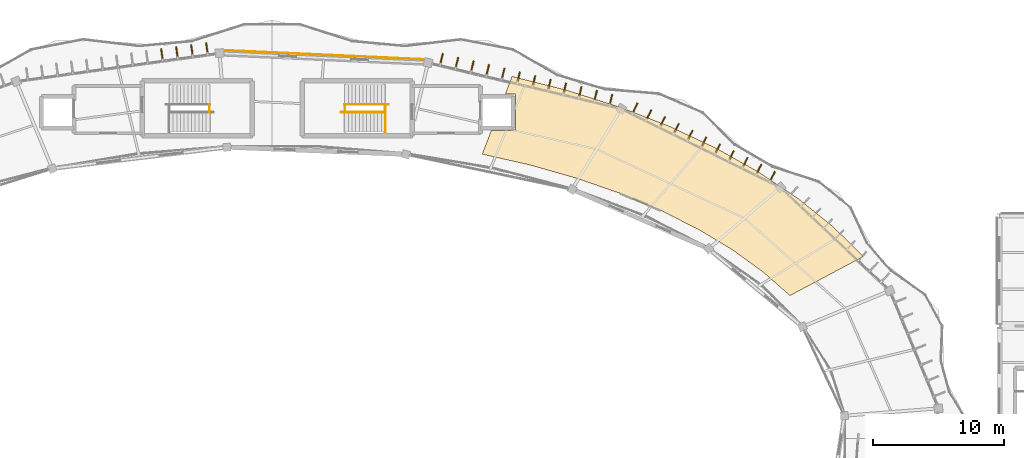
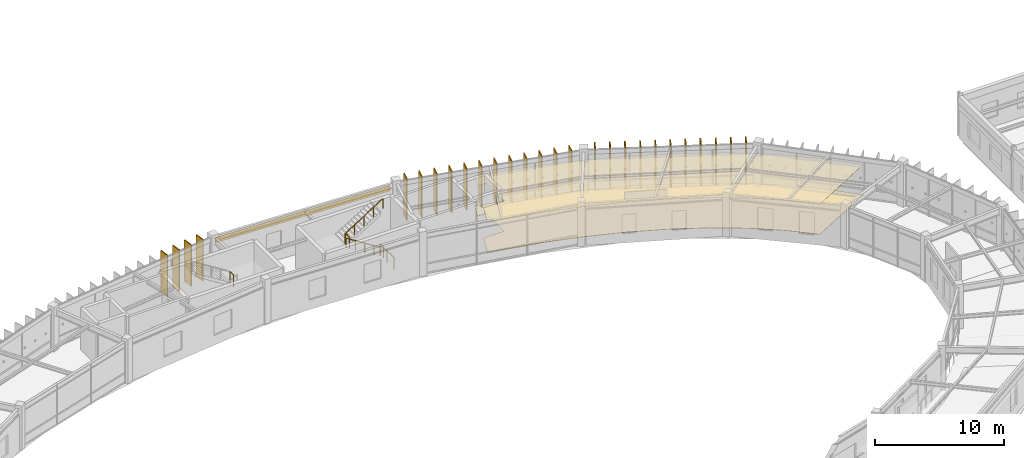
# One storey, part 112 of 114: 27 shading devices, 5 railings, 3 coverings.
"""IFC4 building model written with IfcOpenShell, lengths in metres."""

from ifc_helpers import new_model, si_unit, direction, frame, origin, origin_2d, place, context, subcontext, project, spatial, polyline, rectangle, circle, outline, extrude, material, layer, layer_set, type_object, element, save


model = new_model("IFC4")

# Units and contexts
model_context = context("Model", 3, precision=1e-05, world=origin(), true_north=direction((0.0, 1.0)))
body_context = subcontext(model_context, "Body", "Model", "MODEL_VIEW")
ifc_project = project(units=[si_unit("LENGTHUNIT", "METRE"), si_unit("AREAUNIT", "SQUARE_METRE"), si_unit("VOLUMEUNIT", "CUBIC_METRE"), si_unit("PLANEANGLEUNIT", "RADIAN"), si_unit("MASSUNIT", "GRAM", prefix="KILO"), si_unit("THERMODYNAMICTEMPERATUREUNIT", "KELVIN"), si_unit("POWERUNIT", "WATT")], contexts=[model_context])

# Site, building, storey
site_placement = place(None, origin())
site = spatial("IfcSite", under=ifc_project, at=site_placement, CompositionType="ELEMENT")
building_placement = place(site_placement, origin())
building = spatial("IfcBuilding", under=site, at=building_placement, Name="Darbajah Civic Hall", CompositionType="ELEMENT")
storey_placement = place(building_placement, frame((0.0, 0.0, 13.800048828125)))
storey = spatial("IfcBuildingStorey", under=building, at=storey_placement, Name="L03", CompositionType="ELEMENT", Elevation=13.800048828125)

# Railings
ifc_material_1 = material(Name="Brushed Bronze Stainless Steel", Category="steel")
railing_type_1 = type_object("IfcRailingType", Name="Brushed Bronze Handrail", PredefinedType="HANDRAIL", material=ifc_material_1)
railing_1_placement = place(storey_placement, frame((97.719970703125, 114.699951171875, 0.175048828125)))
element("IfcRailing", 1, at=railing_1_placement, inside=storey, type_object=railing_type_1, Name="ST02 L03 lower flight handrail", PredefinedType="HANDRAIL", context=body_context, shape_type="SweptSolid", body=[
    extrude(circle(Radius=0.02392578125, at=origin_2d()), frame((-0.023193359375, 0.0, 0.910400390625), z_axis=(-0.845954538342, 0.0, 0.533255022534), x_axis=(0.0, -1.0, 0.0)), (0.0, 0.0, 1.0), 3.9169921875),
    extrude(circle(Radius=0.02099609375, at=origin_2d()), origin(), (0.0, 0.0, 1.0), 0.867919921875),
    extrude(circle(Radius=0.02099609375, at=origin_2d()), frame((-0.83984375, 0.0, 0.529541015625)), (0.0, 0.0, 1.0), 0.867919921875),
    extrude(circle(Radius=0.02099609375, at=origin_2d()), frame((-1.679931640625, 0.0, 1.05908203125)), (0.0, 0.0, 1.0), 0.867919921875),
    extrude(circle(Radius=0.02099609375, at=origin_2d()), frame((-2.52001953125, 0.0, 1.58837890625)), (0.0, 0.0, 1.0), 0.867919921875),
    extrude(circle(Radius=0.02099609375, at=origin_2d()), frame((-3.35986328125, 0.0, 2.117919921875)), (0.0, 0.0, 1.0), 0.867919921875),
])
railing_2_placement = place(storey_placement, frame((94.639892578125, 115.300048828125, 2.27490234375)))
element("IfcRailing", 2, at=railing_2_placement, inside=storey, type_object=railing_type_1, Name="ST02 L03 upper flight handrail", PredefinedType="HANDRAIL", context=body_context, shape_type="SweptSolid", body=[
    extrude(circle(Radius=0.02392578125, at=origin_2d()), frame((0.023193359375, 0.0, 0.910400390625), z_axis=(0.845944288966, 0.0, 0.533271281775), x_axis=(0.0, 1.0, 0.0)), (0.0, 0.0, 1.0), 3.91748046875),
    extrude(circle(Radius=0.02099609375, at=origin_2d()), origin(), (0.0, 0.0, 1.0), 0.867919921875),
    extrude(circle(Radius=0.02099609375, at=origin_2d()), frame((0.840087890625, 0.0, 0.529541015625)), (0.0, 0.0, 1.0), 0.867919921875),
    extrude(circle(Radius=0.02099609375, at=origin_2d()), frame((1.68017578125, 0.0, 1.05908203125)), (0.0, 0.0, 1.0), 0.867919921875),
    extrude(circle(Radius=0.02099609375, at=origin_2d()), frame((2.52001953125, 0.0, 1.588623046875)), (0.0, 0.0, 1.0), 0.867919921875),
    extrude(circle(Radius=0.02099609375, at=origin_2d()), frame((3.360107421875, 0.0, 2.1181640625)), (0.0, 0.0, 1.0), 0.867919921875),
])

# Covering
ifc_material_2 = material(Name="Honed Qatari Limestone Terrazzo", Category="masonry")
ifc_layer_1 = layer(ifc_material_2, 0.030029296875, Name="Honed Qatari Limestone Terrazzo")
ifc_layer_set_1 = layer_set([ifc_layer_1], Name="Honed Qatari Limestone Terrazzo")
covering_type_1 = type_object("IfcCoveringType", Name="Honed Qatari Limestone Terrazzo Flooring", PredefinedType="FLOORING", material=ifc_layer_set_1)
covering_1_placement = place(storey_placement, origin())
element("IfcCovering", 3, at=covering_1_placement, inside=storey, type_object=covering_type_1, Name="L03 stone terrazzo flooring L03-V1-03", PredefinedType="FLOORING", context=body_context, shape_type="SweptSolid", body=[
    extrude(outline(polyline([(128.61181640625, 100.715087890625), (126.5771484375, 102.50537109375), (124.242919921875, 104.19384765625), (121.627685546875, 105.767333984375), (118.752197265625, 107.213134765625), (115.639892578125, 108.519775390625), (112.315185546875, 109.6767578125), (108.8046875, 110.6748046875), (105.136962890625, 111.505615234375), (105.83349609375, 113.320068359375), (107.679931640625, 113.320068359375), (107.679931640625, 116.080078125), (106.892822265625, 116.080078125), (107.41259765625, 117.43408203125), (111.600830078125, 116.3759765625), (115.609375, 115.10546875), (119.40576171875, 113.632568359375), (122.9599609375, 111.968994140625), (126.243408203125, 110.12841796875), (129.229736328125, 108.125244140625), (131.895263671875, 105.975341796875), (134.218505859375, 103.6962890625), (128.61181640625, 100.715087890625)])), origin(), (0.0, 0.0, 1.0), 0.030029296875),
])

# Railings
ifc_material_3 = material(Name="Brushed Bronze and Laminated Safety Glass", Category="glass")
railing_type_2 = type_object("IfcRailingType", Name="Interior Guard Balustrade", PredefinedType="BALUSTRADE", material=ifc_material_3)
railing_3_placement = place(storey_placement, frame((84.340087890625, 114.699951171875, 2.099853515625)))
element("IfcRailing", 4, at=railing_3_placement, inside=storey, type_object=railing_type_2, Name="ST01 L03 landing well guard", PredefinedType="BALUSTRADE", context=body_context, shape_type="SweptSolid", body=[
    extrude(circle(Radius=0.02392578125, at=origin_2d()), frame((0.0, 0.02734375, 1.09619140625), z_axis=(0.0, 1.0, 0.0), x_axis=(-1.0, 0.0, 0.0)), (0.0, 0.0, 1.0), 0.54541015625),
    extrude(circle(Radius=0.02099609375, at=origin_2d()), origin(), (0.0, 0.0, 1.0), 1.068115234375),
    extrude(circle(Radius=0.02099609375, at=origin_2d()), frame((0.0, 0.60009765625, 0.0)), (0.0, 0.0, 1.0), 1.068115234375),
])
railing_4_placement = place(storey_placement, frame((97.77001953125, 113.14990234375, 0.0)))
element("IfcRailing", 5, at=railing_4_placement, inside=storey, type_object=railing_type_2, Name="ST02 L03 stair-well edge guard", PredefinedType="BALUSTRADE", context=body_context, shape_type="SweptSolid", body=[
    extrude(circle(Radius=0.02392578125, at=origin_2d()), frame((0.0, 0.02734375, 1.09619140625), z_axis=(0.0, 1.0, 0.0), x_axis=(-1.0, 0.0, 0.0)), (0.0, 0.0, 1.0), 2.095458984375),
    extrude(circle(Radius=0.02099609375, at=origin_2d()), origin(), (0.0, 0.0, 1.0), 1.068115234375),
    extrude(circle(Radius=0.02099609375, at=origin_2d()), frame((0.0, 1.0751953125, 0.0)), (0.0, 0.0, 1.0), 1.068115234375),
    extrude(circle(Radius=0.02099609375, at=origin_2d()), frame((0.0, 2.150146484375, 0.0)), (0.0, 0.0, 1.0), 1.068115234375),
])
railing_5_placement = place(storey_placement, frame((94.659912109375, 114.699951171875, 2.099853515625)))
element("IfcRailing", 6, at=railing_5_placement, inside=storey, type_object=railing_type_2, Name="ST02 L03 landing well guard", PredefinedType="BALUSTRADE", context=body_context, shape_type="SweptSolid", body=[
    extrude(circle(Radius=0.02392578125, at=origin_2d()), frame((0.0, 0.02734375, 1.09619140625), z_axis=(0.0, 1.0, 0.0), x_axis=(-1.0, 0.0, 0.0)), (0.0, 0.0, 1.0), 0.54541015625),
    extrude(circle(Radius=0.02099609375, at=origin_2d()), origin(), (0.0, 0.0, 1.0), 1.068115234375),
    extrude(circle(Radius=0.02099609375, at=origin_2d()), frame((0.0, 0.60009765625, 0.0)), (0.0, 0.0, 1.0), 1.068115234375),
])

# Coverings
ifc_material_4 = material(Name="Qatari Desert Limestone Ashlar", Category="masonry")
ifc_layer_2 = layer(ifc_material_4, 0.044921875, Name="Qatari Desert Limestone Ashlar")
ifc_layer_set_2 = layer_set([ifc_layer_2], Name="Qatari Desert Limestone Ashlar")
covering_type_2 = type_object("IfcCoveringType", Name="Limestone Facade Cladding", PredefinedType="CLADDING", material=ifc_layer_set_2)
covering_2_placement = place(storey_placement, frame((0.0, 0.0, 3.02001953125)))
element("IfcCovering", 7, at=covering_2_placement, inside=storey, type_object=covering_type_2, Name="L03 stone frieze cladding EW-V1O-L03-04", PredefinedType="CLADDING", context=body_context, shape_type="SweptSolid", body=[
    extrude(outline(polyline([(100.633056640625, 118.712158203125), (85.472412109375, 119.40234375), (85.474609375, 119.447265625), (100.635009765625, 118.757080078125), (100.633056640625, 118.712158203125)])), origin(), (0.0, 0.0, 1.0), 0.5),
])
ifc_material_5 = material(Name="Perforated Acoustic Gypsum Board")
ifc_layer_3 = layer(ifc_material_5, 0.02490234375, Name="Perforated Acoustic Gypsum Board")
ifc_layer_set_3 = layer_set([ifc_layer_3], Name="Perforated Acoustic Gypsum Board")
covering_type_3 = type_object("IfcCoveringType", Name="Perforated Acoustic Gypsum Ceiling", PredefinedType="CEILING", material=ifc_layer_set_3)
covering_3_placement = place(storey_placement, frame((0.0, 0.0, 2.849853515625)))
element("IfcCovering", 8, at=covering_3_placement, inside=storey, type_object=covering_type_3, Name="L03 acoustic suspended ceiling L03-V1-03", PredefinedType="CEILING", context=body_context, shape_type="SweptSolid", body=[
    extrude(outline(polyline([(128.61181640625, 100.715087890625), (126.5771484375, 102.50537109375), (124.242919921875, 104.19384765625), (121.627685546875, 105.767333984375), (118.752197265625, 107.213134765625), (115.639892578125, 108.519775390625), (112.315185546875, 109.6767578125), (108.8046875, 110.6748046875), (105.136962890625, 111.505615234375), (105.83349609375, 113.320068359375), (107.679931640625, 113.320068359375), (107.679931640625, 116.080078125), (106.892822265625, 116.080078125), (107.41259765625, 117.43408203125), (111.600830078125, 116.3759765625), (115.609375, 115.10546875), (119.40576171875, 113.632568359375), (122.9599609375, 111.968994140625), (126.243408203125, 110.12841796875), (129.229736328125, 108.125244140625), (131.895263671875, 105.975341796875), (134.218505859375, 103.6962890625), (128.61181640625, 100.715087890625)])), origin(), (0.0, 0.0, 1.0), 0.025146484375),
])

# Shading devices
ifc_material_6 = material(Name="Bronze Anodised Aluminium and Teak Composite", Category="aluminium")
shading_device_type = type_object("IfcShadingDeviceType", Name="Vertical Bronze Timber Shading Fin", PredefinedType="USERDEFINED", material=ifc_material_6)
for number, where, z_axis, x_axis, name in (
    (9, (127.280517578125, 109.8037109375, 0.0), (0.0, 0.0, 1.0), (0.442914717678, 0.89656374724, 0.0), "L03 vertical shading fin VF-02-1"),
    (10, (126.240966796875, 110.343017578125, 0.0), (0.0, 0.0, 1.0), (0.442914717678, 0.89656374724, 0.0), "L03 vertical shading fin VF-02-2"),
    (11, (125.19140625, 110.86181640625, 0.0), (0.0, 0.0, 1.0), (0.442914717678, 0.89656374724, 0.0), "L03 vertical shading fin VF-02-3"),
    (12, (124.1416015625, 111.38037109375, 0.0), (0.0, 0.0, 1.0), (0.442914717678, 0.89656374724, 0.0), "L03 vertical shading fin VF-02-4"),
    (13, (123.091796875, 111.89892578125, 0.0), (0.0, 0.0, 1.0), (0.442914717678, 0.89656374724, 0.0), "L03 vertical shading fin VF-02-5"),
    (14, (122.042236328125, 112.41748046875, 0.0), (0.0, 0.0, 1.0), (0.442914717678, 0.89656374724, 0.0), "L03 vertical shading fin VF-02-6"),
    (15, (120.992431640625, 112.93603515625, 0.0), (0.0, 0.0, 1.0), (0.442914717678, 0.89656374724, 0.0), "L03 vertical shading fin VF-02-7"),
    (16, (119.942626953125, 113.45458984375, 0.0), (0.0, 0.0, 1.0), (0.442914717678, 0.89656374724, 0.0), "L03 vertical shading fin VF-02-8"),
    (17, (118.89306640625, 113.973388671875, 0.0), (0.0, 0.0, 1.0), (0.442914717678, 0.89656374724, 0.0), "L03 vertical shading fin VF-02-9"),
    (18, (117.84326171875, 114.491943359375, 0.0), (0.0, 0.0, 1.0), (0.442914717678, 0.89656374724, 0.0), "L03 vertical shading fin VF-02-10"),
    (19, (116.793701171875, 115.010498046875, 0.0), (0.0, 0.0, 1.0), (0.442914717678, 0.89656374724, 0.0), "L03 vertical shading fin VF-02-11"),
    (20, (114.956787109375, 115.650390625, 0.0), (0.0, 0.0, 1.0), (0.232936200179, 0.972492018808, 0.0), "L03 vertical shading fin VF-03-1"),
    (21, (113.7861328125, 115.952392578125, 0.0), (0.0, 0.0, 1.0), (0.232936200179, 0.972492018808, 0.0), "L03 vertical shading fin VF-03-2"),
    (22, (112.610595703125, 116.23388671875, 0.0), (0.0, 0.0, 1.0), (0.232936200179, 0.972492018808, 0.0), "L03 vertical shading fin VF-03-3"),
    (23, (111.435302734375, 116.515625, 0.0), (0.0, 0.0, 1.0), (0.232936200179, 0.972492018808, 0.0), "L03 vertical shading fin VF-03-4"),
    (24, (110.259765625, 116.79736328125, 0.0), (0.0, 0.0, 1.0), (0.232936200179, 0.972492018808, 0.0), "L03 vertical shading fin VF-03-5"),
    (25, (109.084228515625, 117.078857421875, 0.0), (0.0, 0.0, 1.0), (0.232936200179, 0.972492018808, 0.0), "L03 vertical shading fin VF-03-6"),
    (26, (107.90869140625, 117.360595703125, 0.0), (0.0, 0.0, 1.0), (0.232936200179, 0.972492018808, 0.0), "L03 vertical shading fin VF-03-7"),
    (27, (106.7333984375, 117.64208984375, 0.0), (0.0, 0.0, 1.0), (0.232936200179, 0.972492018808, 0.0), "L03 vertical shading fin VF-03-8"),
    (28, (105.557861328125, 117.923828125, 0.0), (0.0, 0.0, 1.0), (0.232936200179, 0.972492018808, 0.0), "L03 vertical shading fin VF-03-9"),
    (29, (104.38232421875, 118.205322265625, 0.0), (0.0, 0.0, 1.0), (0.232936200179, 0.972492018808, 0.0), "L03 vertical shading fin VF-03-10"),
    (30, (103.203125, 118.47119140625, 0.0), (0.0, 0.0, 1.0), (0.232936200179, 0.972492018808, 0.0), "L03 vertical shading fin VF-03-11"),
    (31, (102.031494140625, 118.768798828125, 0.0), (0.0, 0.0, 1.0), (0.232936200179, 0.972492018808, 0.0), "L03 vertical shading fin VF-03-12"),
    (32, (84.134765625, 119.57568359375, 0.0), (0.0, 0.0, 1.0), (-0.137617420457, 0.990485459553, 0.0), "L03 vertical shading fin VF-05-1"),
    (33, (82.98828125, 119.43603515625, 0.0), (0.0, 0.0, 1.0), (-0.137617420457, 0.990485459553, 0.0), "L03 vertical shading fin VF-05-2"),
    (34, (81.8447265625, 119.277099609375, 0.0), (0.0, 0.0, 1.0), (-0.137617420457, 0.990485459553, 0.0), "L03 vertical shading fin VF-05-3"),
    (35, (80.700927734375, 119.118408203125, 0.0), (0.0, 0.0, 1.0), (-0.137617420457, 0.990485459553, 0.0), "L03 vertical shading fin VF-05-4"),
):
    element("IfcShadingDevice", number, at=place(storey_placement, frame(where, z_axis=z_axis, x_axis=x_axis)), inside=storey, type_object=shading_device_type, Name=name, ObjectType="VERTICAL FIN", PredefinedType="USERDEFINED", context=body_context, shape_type="SweptSolid", body=[
        extrude(rectangle(XDim=0.85009765625, YDim=0.090087890625, at=origin_2d()), origin(), (0.0, 0.0, 1.0), 3.919921875),
    ])

save(model, "model.ifc")
